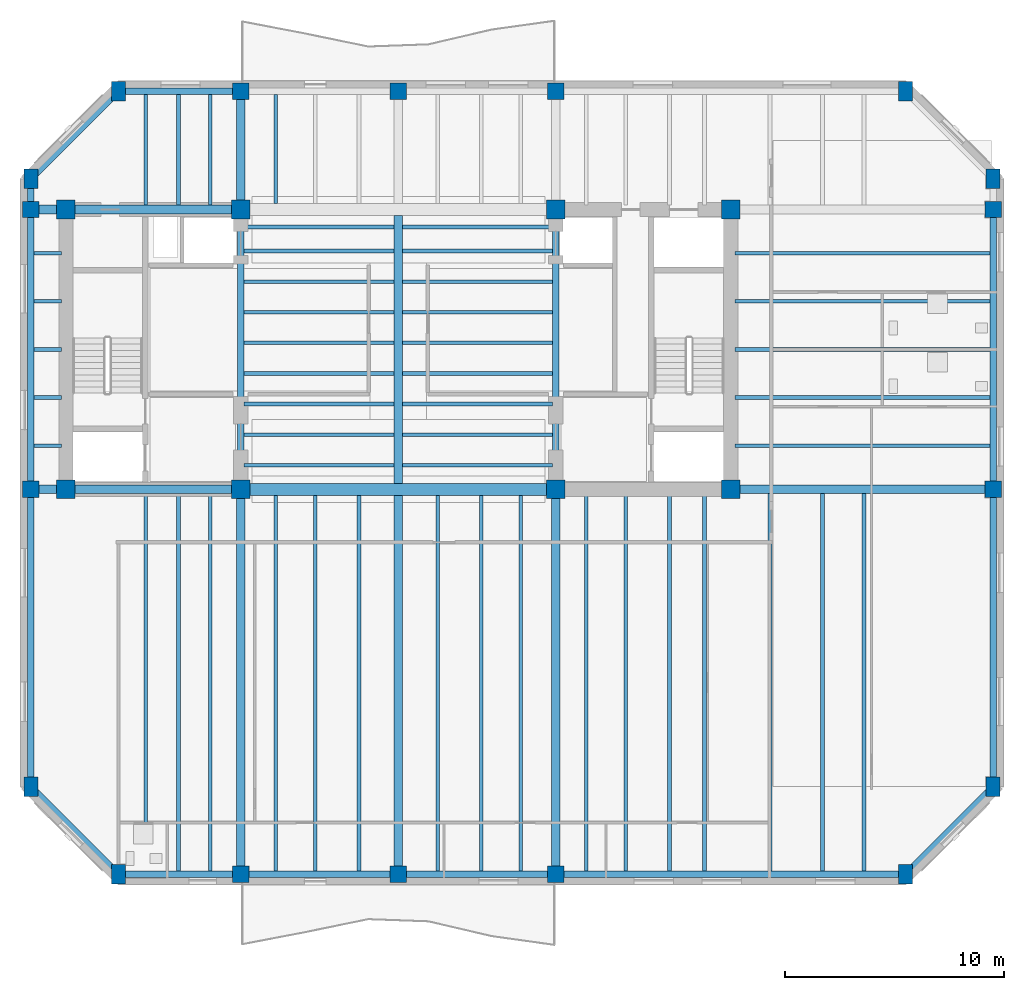
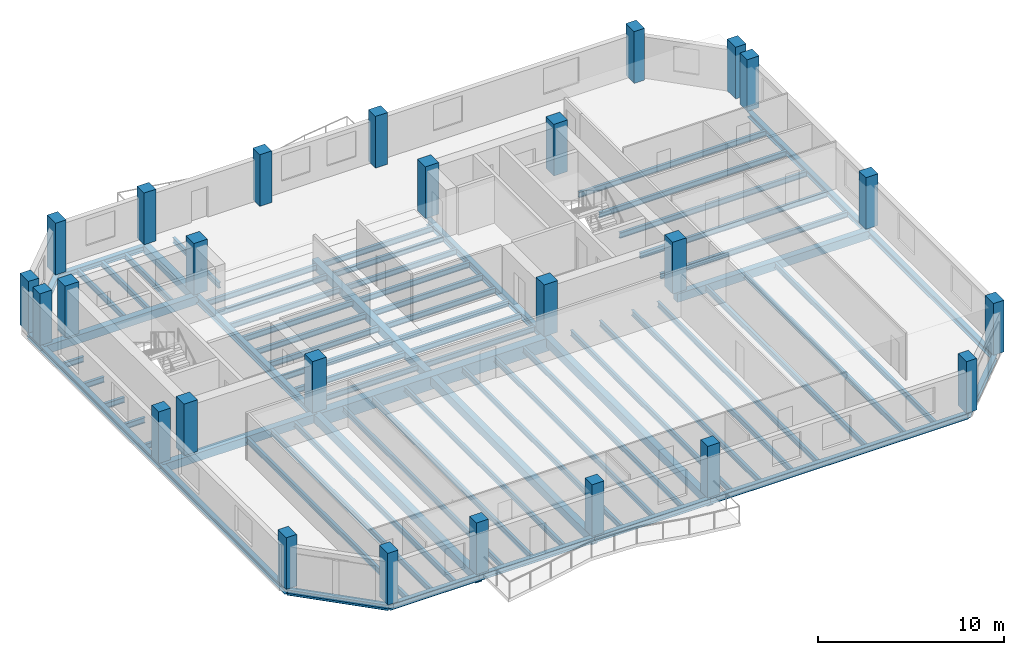
# One storey, part 1 of 9: 72 beams, 26 columns.
"""IFC4 building model written with IfcOpenShell, lengths in metres."""

from ifc_helpers import new_model, si_unit, direction, frame, origin, origin_2d, place, context, subcontext, project, spatial, rectangle, i_section, extrude, material, material_profile, profile_set, type_object, element, save


model = new_model("IFC4")

# Units and contexts
model_context = context("Model", 3, precision=1e-05, world=origin(), true_north=direction((0.0, 1.0)))
body_context = subcontext(model_context, "Body", "Model", "MODEL_VIEW")
ifc_project = project(units=[si_unit("LENGTHUNIT", "METRE"), si_unit("AREAUNIT", "SQUARE_METRE"), si_unit("VOLUMEUNIT", "CUBIC_METRE"), si_unit("PLANEANGLEUNIT", "RADIAN"), si_unit("MASSUNIT", "GRAM", prefix="KILO")], contexts=[model_context])

# Site, building, storey
site_placement = place(None, origin())
site = spatial("IfcSite", under=ifc_project, at=site_placement, CompositionType="ELEMENT")
building_placement = place(site_placement, origin())
building = spatial("IfcBuilding", under=site, at=building_placement, Name="Kranthara Brick Stack", CompositionType="ELEMENT")
storey_placement = place(building_placement, frame((0.0, 0.0, 241.5)))
storey = spatial("IfcBuildingStorey", under=building, at=storey_placement, Name="L63", CompositionType="ELEMENT", Elevation=241.5)

# Columns
ifc_material_1 = material(Name="Concrete C50/60", Category="concrete")
ifc_material_profile_1 = material_profile(ifc_material_1, rectangle(XDim=0.64990234375, YDim=0.89990234375, at=origin_2d()), Name="RC 650x900")
ifc_profile_set_1 = profile_set([ifc_material_profile_1], Name="Concrete C50/60")
column_type_1 = type_object("IfcColumnType", Name="COL-CHAM-650x900", PredefinedType="COLUMN", material=ifc_profile_set_1)
for number, where, z_axis, x_axis, name in (
    (1, (15.199951171875, 3.199951171875, 0.0), (0.0, 0.0, 1.0), (1.0, 0.0, 0.0), "L63 Column 09"),
    (2, (15.199951171875, 39.0, 0.0), (0.0, 0.0, 1.0), (1.0, 0.0, 0.0), "L63 Column 10"),
    (3, (51.199951171875, 3.199951171875, 0.0), (0.0, 0.0, 1.0), (1.0, 0.0, 0.0), "L63 Column 17"),
    (4, (51.199951171875, 39.0, 0.0), (0.0, 0.0, 1.0), (1.0, 0.0, 0.0), "L63 Column 18"),
    (5, (11.199951171875, 7.199951171875, 0.0), (0.0, 0.0, 1.0), (1.0, 0.0, 0.0), "L63 Column 19"),
    (6, (55.199951171875, 7.199951171875, 0.0), (0.0, 0.0, 1.0), (1.0, 0.0, 0.0), "L63 Column 20"),
    (7, (11.199951171875, 35.0, 0.0), (0.0, 0.0, 1.0), (1.0, 0.0, 0.0), "L63 Column 25"),
    (8, (55.199951171875, 35.0, 0.0), (0.0, 0.0, 1.0), (1.0, 0.0, 0.0), "L63 Column 26"),
):
    element("IfcColumn", number, at=place(storey_placement, frame(where, z_axis=z_axis, x_axis=x_axis)), inside=storey, type_object=column_type_1, Name=name, PredefinedType="COLUMN", context=body_context, shape_type="SweptSolid", body=[
        extrude(rectangle(XDim=0.64990234375, YDim=0.89990234375, at=origin_2d()), origin(), (0.0, 0.0, 1.0), 3.39990234375),
    ])
ifc_material_2 = material(Name="Concrete C50/60", Category="concrete")
ifc_material_profile_2 = material_profile(ifc_material_2, rectangle(XDim=0.85009765625, YDim=0.85009765625, at=origin_2d()), Name="RC 850x850")
ifc_profile_set_2 = profile_set([ifc_material_profile_2], Name="Concrete C50/60")
column_type_2 = type_object("IfcColumnType", Name="COL-CORE-850", PredefinedType="COLUMN", material=ifc_profile_set_2)
for number, where, z_axis, x_axis, name in (
    (9, (12.800048828125, 20.800048828125, 0.0), (0.0, 0.0, 1.0), (1.0, 0.0, 0.0), "L63 Column 01"),
    (10, (20.800048828125, 20.800048828125, 0.0), (0.0, 0.0, 1.0), (1.0, 0.0, 0.0), "L63 Column 02"),
    (11, (12.800048828125, 33.60009765625, 0.0), (0.0, 0.0, 1.0), (1.0, 0.0, 0.0), "L63 Column 03"),
    (12, (20.800048828125, 33.60009765625, 0.0), (0.0, 0.0, 1.0), (1.0, 0.0, 0.0), "L63 Column 04"),
    (13, (35.199951171875, 20.800048828125, 0.0), (0.0, 0.0, 1.0), (1.0, 0.0, 0.0), "L63 Column 05"),
    (14, (43.199951171875, 20.800048828125, 0.0), (0.0, 0.0, 1.0), (1.0, 0.0, 0.0), "L63 Column 06"),
    (15, (35.199951171875, 33.60009765625, 0.0), (0.0, 0.0, 1.0), (1.0, 0.0, 0.0), "L63 Column 07"),
    (16, (43.199951171875, 33.60009765625, 0.0), (0.0, 0.0, 1.0), (1.0, 0.0, 0.0), "L63 Column 08"),
):
    element("IfcColumn", number, at=place(storey_placement, frame(where, z_axis=z_axis, x_axis=x_axis)), inside=storey, type_object=column_type_2, Name=name, PredefinedType="COLUMN", context=body_context, shape_type="SweptSolid", body=[
        extrude(rectangle(XDim=0.85009765625, YDim=0.85009765625, at=origin_2d()), origin(), (0.0, 0.0, 1.0), 3.39990234375),
    ])
ifc_material_3 = material(Name="Concrete C50/60", Category="concrete")
ifc_material_profile_3 = material_profile(ifc_material_3, rectangle(XDim=0.75, YDim=0.75, at=origin_2d()), Name="RC 750x750")
ifc_profile_set_3 = profile_set([ifc_material_profile_3], Name="Concrete C50/60")
column_type_3 = type_object("IfcColumnType", Name="COL-PER-750", PredefinedType="COLUMN", material=ifc_profile_set_3)
for number, where, z_axis, x_axis, name in (
    (17, (20.800048828125, 3.199951171875, 0.0), (0.0, 0.0, 1.0), (1.0, 0.0, 0.0), "L63 Column 11"),
    (18, (20.800048828125, 39.0, 0.0), (0.0, 0.0, 1.0), (1.0, 0.0, 0.0), "L63 Column 12"),
    (19, (28.0, 3.199951171875, 0.0), (0.0, 0.0, 1.0), (1.0, 0.0, 0.0), "L63 Column 13"),
    (20, (28.0, 39.0, 0.0), (0.0, 0.0, 1.0), (1.0, 0.0, 0.0), "L63 Column 14"),
    (21, (35.199951171875, 3.199951171875, 0.0), (0.0, 0.0, 1.0), (1.0, 0.0, 0.0), "L63 Column 15"),
    (22, (35.199951171875, 39.0, 0.0), (0.0, 0.0, 1.0), (1.0, 0.0, 0.0), "L63 Column 16"),
    (23, (11.199951171875, 20.800048828125, 0.0), (0.0, 0.0, 1.0), (1.0, 0.0, 0.0), "L63 Column 21"),
    (24, (55.199951171875, 20.800048828125, 0.0), (0.0, 0.0, 1.0), (1.0, 0.0, 0.0), "L63 Column 22"),
    (25, (11.199951171875, 33.60009765625, 0.0), (0.0, 0.0, 1.0), (1.0, 0.0, 0.0), "L63 Column 23"),
    (26, (55.199951171875, 33.60009765625, 0.0), (0.0, 0.0, 1.0), (1.0, 0.0, 0.0), "L63 Column 24"),
):
    element("IfcColumn", number, at=place(storey_placement, frame(where, z_axis=z_axis, x_axis=x_axis)), inside=storey, type_object=column_type_3, Name=name, PredefinedType="COLUMN", context=body_context, shape_type="SweptSolid", body=[
        extrude(rectangle(XDim=0.75, YDim=0.75, at=origin_2d()), origin(), (0.0, 0.0, 1.0), 3.39990234375),
    ])

# Beams
ifc_material_4 = material(Name="Concrete C50/60", Category="concrete")
ifc_material_profile_4 = material_profile(ifc_material_4, rectangle(XDim=0.550048828125, YDim=0.85009765625, at=origin_2d()), Name="RC 550x850")
ifc_profile_set_4 = profile_set([ifc_material_profile_4], Name="Concrete C50/60")
beam_type_1 = type_object("IfcBeamType", Name="BM-CPL-RC850", PredefinedType="LINTEL", material=ifc_profile_set_4)
beam_1_placement = place(storey_placement, frame((20.800048828125, 20.800048828125, -0.72509765625), z_axis=(1.0, 0.0, 0.0), x_axis=(0.0, 1.0, 0.0)))
element("IfcBeam", 27, at=beam_1_placement, inside=storey, type_object=beam_type_1, Name="L63 Core Coupling Beam 001", PredefinedType="LINTEL", context=body_context, shape_type="SweptSolid", body=[
    extrude(rectangle(XDim=0.550048828125, YDim=0.85009765625, at=origin_2d()), origin(), (0.0, 0.0, 1.0), 14.39990234375),
])
ifc_material_5 = material(Name="Post-tensioned concrete C45/55", Category="concrete")
ifc_material_profile_5 = material_profile(ifc_material_5, rectangle(XDim=0.39990234375, YDim=0.550048828125, at=origin_2d()), Name="PT 400x550")
ifc_profile_set_5 = profile_set([ifc_material_profile_5], Name="Post-tensioned concrete C45/55")
beam_type_2 = type_object("IfcBeamType", Name="BM-FLR-PT550", PredefinedType="BEAM", material=ifc_profile_set_5)
beam_2_placement = place(storey_placement, frame((20.800048828125, 3.199951171875, -0.574951171875), z_axis=(0.0, 1.0, 0.0), x_axis=(-1.0, 0.0, 0.0)))
element("IfcBeam", 28, at=beam_2_placement, inside=storey, type_object=beam_type_2, Name="L63 Primary Grid Girder 023", PredefinedType="BEAM", context=body_context, shape_type="SweptSolid", body=[
    extrude(rectangle(XDim=0.39990234375, YDim=0.550048828125, at=origin_2d()), origin(), (0.0, 0.0, 1.0), 17.60009765625),
])
beam_3_placement = place(storey_placement, frame((20.800048828125, 33.60009765625, -0.574951171875), z_axis=(0.0, 1.0, 0.0), x_axis=(-1.0, 0.0, 0.0)))
element("IfcBeam", 29, at=beam_3_placement, inside=storey, type_object=beam_type_2, Name="L63 Primary Grid Girder 024", PredefinedType="BEAM", context=body_context, shape_type="SweptSolid", body=[
    extrude(rectangle(XDim=0.39990234375, YDim=0.550048828125, at=origin_2d()), origin(), (0.0, 0.0, 1.0), 5.39990234375),
])
beam_4_placement = place(storey_placement, frame((28.0, 3.199951171875, -0.574951171875), z_axis=(0.0, 1.0, 0.0), x_axis=(-1.0, 0.0, 0.0)))
element("IfcBeam", 30, at=beam_4_placement, inside=storey, type_object=beam_type_2, Name="L63 Primary Grid Girder 025", PredefinedType="BEAM", context=body_context, shape_type="SweptSolid", body=[
    extrude(rectangle(XDim=0.39990234375, YDim=0.550048828125, at=origin_2d()), origin(), (0.0, 0.0, 1.0), 17.324951171875),
])
beam_5_placement = place(storey_placement, frame((28.0, 21.074951171875, -0.574951171875), z_axis=(0.0, 1.0, 0.0), x_axis=(-1.0, 0.0, 0.0)))
element("IfcBeam", 31, at=beam_5_placement, inside=storey, type_object=beam_type_2, Name="L63 Central Spine Girder 026", PredefinedType="BEAM", context=body_context, shape_type="SweptSolid", body=[
    extrude(rectangle(XDim=0.39990234375, YDim=0.550048828125, at=origin_2d()), origin(), (0.0, 0.0, 1.0), 12.25),
])
beam_6_placement = place(storey_placement, frame((35.199951171875, 3.199951171875, -0.574951171875), z_axis=(0.0, 1.0, 0.0), x_axis=(-1.0, 0.0, 0.0)))
element("IfcBeam", 32, at=beam_6_placement, inside=storey, type_object=beam_type_2, Name="L63 Primary Grid Girder 028", PredefinedType="BEAM", context=body_context, shape_type="SweptSolid", body=[
    extrude(rectangle(XDim=0.39990234375, YDim=0.550048828125, at=origin_2d()), origin(), (0.0, 0.0, 1.0), 17.60009765625),
])
beam_7_placement = place(storey_placement, frame((11.199951171875, 20.800048828125, -0.574951171875), z_axis=(1.0, 0.0, 0.0), x_axis=(0.0, 1.0, 0.0)))
element("IfcBeam", 33, at=beam_7_placement, inside=storey, type_object=beam_type_2, Name="L63 Primary Grid Girder 030", PredefinedType="BEAM", context=body_context, shape_type="SweptSolid", body=[
    extrude(rectangle(XDim=0.39990234375, YDim=0.550048828125, at=origin_2d()), origin(), (0.0, 0.0, 1.0), 9.60009765625),
])
beam_8_placement = place(storey_placement, frame((43.199951171875, 20.800048828125, -0.574951171875), z_axis=(1.0, 0.0, 0.0), x_axis=(0.0, 1.0, 0.0)))
element("IfcBeam", 34, at=beam_8_placement, inside=storey, type_object=beam_type_2, Name="L63 Primary Grid Girder 031", PredefinedType="BEAM", context=body_context, shape_type="SweptSolid", body=[
    extrude(rectangle(XDim=0.39990234375, YDim=0.550048828125, at=origin_2d()), origin(), (0.0, 0.0, 1.0), 12.0),
])
beam_9_placement = place(storey_placement, frame((11.199951171875, 33.60009765625, -0.574951171875), z_axis=(1.0, 0.0, 0.0), x_axis=(0.0, 1.0, 0.0)))
element("IfcBeam", 35, at=beam_9_placement, inside=storey, type_object=beam_type_2, Name="L63 Primary Grid Girder 032", PredefinedType="BEAM", context=body_context, shape_type="SweptSolid", body=[
    extrude(rectangle(XDim=0.39990234375, YDim=0.550048828125, at=origin_2d()), origin(), (0.0, 0.0, 1.0), 9.60009765625),
])
ifc_material_6 = material(Name="Steel S355", Category="steel")
ifc_material_profile_6 = material_profile(ifc_material_6, i_section(OverallWidth=0.169921875, OverallDepth=0.360107421875, WebThickness=0.008056640625, FlangeThickness=0.0126953125, at=origin_2d()), Name="IPE 360")
ifc_profile_set_6 = profile_set([ifc_material_profile_6], Name="Steel S355")
beam_type_3 = type_object("IfcBeamType", Name="BM-JST-IPE360", PredefinedType="JOIST", material=ifc_profile_set_6)
for number, where, z_axis, x_axis, name in (
    (36, (20.949951171875, 21.89990234375, -0.47998046875), (1.0, 0.0, 0.0), (0.0, 1.0, 0.0), "L63 Central Floor Joist 034"),
    (37, (28.199951171875, 21.89990234375, -0.47998046875), (1.0, 0.0, 0.0), (0.0, 1.0, 0.0), "L63 Central Floor Joist 035"),
    (38, (20.949951171875, 23.300048828125, -0.47998046875), (1.0, 0.0, 0.0), (0.0, 1.0, 0.0), "L63 Central Floor Joist 036"),
    (39, (28.199951171875, 23.300048828125, -0.47998046875), (1.0, 0.0, 0.0), (0.0, 1.0, 0.0), "L63 Central Floor Joist 037"),
    (40, (20.949951171875, 24.699951171875, -0.47998046875), (1.0, 0.0, 0.0), (0.0, 1.0, 0.0), "L63 Central Floor Joist 038"),
    (41, (28.199951171875, 24.699951171875, -0.47998046875), (1.0, 0.0, 0.0), (0.0, 1.0, 0.0), "L63 Central Floor Joist 039"),
    (42, (20.949951171875, 26.10009765625, -0.47998046875), (1.0, 0.0, 0.0), (0.0, 1.0, 0.0), "L63 Central Floor Joist 040"),
    (43, (28.199951171875, 26.10009765625, -0.47998046875), (1.0, 0.0, 0.0), (0.0, 1.0, 0.0), "L63 Central Floor Joist 041"),
    (44, (20.949951171875, 27.5, -0.47998046875), (1.0, 0.0, 0.0), (0.0, 1.0, 0.0), "L63 Central Floor Joist 042"),
    (45, (28.199951171875, 27.5, -0.47998046875), (1.0, 0.0, 0.0), (0.0, 1.0, 0.0), "L63 Central Floor Joist 043"),
    (46, (20.949951171875, 28.89990234375, -0.47998046875), (1.0, 0.0, 0.0), (0.0, 1.0, 0.0), "L63 Central Floor Joist 044"),
    (47, (28.199951171875, 28.89990234375, -0.47998046875), (1.0, 0.0, 0.0), (0.0, 1.0, 0.0), "L63 Central Floor Joist 045"),
    (48, (20.949951171875, 30.300048828125, -0.47998046875), (1.0, 0.0, 0.0), (0.0, 1.0, 0.0), "L63 Central Floor Joist 046"),
    (49, (28.199951171875, 30.300048828125, -0.47998046875), (1.0, 0.0, 0.0), (0.0, 1.0, 0.0), "L63 Central Floor Joist 047"),
    (50, (20.949951171875, 31.699951171875, -0.47998046875), (1.0, 0.0, 0.0), (0.0, 1.0, 0.0), "L63 Central Floor Joist 048"),
    (51, (28.199951171875, 31.699951171875, -0.47998046875), (1.0, 0.0, 0.0), (0.0, 1.0, 0.0), "L63 Central Floor Joist 049"),
    (52, (20.949951171875, 32.800048828125, -0.47998046875), (1.0, 0.0, 0.0), (0.0, 1.0, 0.0), "L63 Central Floor Joist 050"),
    (53, (28.199951171875, 32.800048828125, -0.47998046875), (1.0, 0.0, 0.0), (0.0, 1.0, 0.0), "L63 Central Floor Joist 051"),
):
    element("IfcBeam", number, at=place(storey_placement, frame(where, z_axis=z_axis, x_axis=x_axis)), inside=storey, type_object=beam_type_3, Name=name, PredefinedType="JOIST", context=body_context, shape_type="SweptSolid", body=[
        extrude(i_section(OverallWidth=0.169921875, OverallDepth=0.360107421875, WebThickness=0.008056640625, FlangeThickness=0.0126953125, at=origin_2d()), origin(), (0.0, 0.0, 1.0), 6.85009765625),
    ])
beam_10_placement = place(storey_placement, frame((16.449951171875, 3.35009765625, -0.47998046875), z_axis=(0.0, 1.0, 0.0), x_axis=(-1.0, 0.0, 0.0)))
element("IfcBeam", 54, at=beam_10_placement, inside=storey, type_object=beam_type_3, Name="L63 South Wing Floor Joist 052", PredefinedType="JOIST", context=body_context, shape_type="SweptSolid", body=[
    extrude(i_section(OverallWidth=0.169921875, OverallDepth=0.360107421875, WebThickness=0.008056640625, FlangeThickness=0.0126953125, at=origin_2d()), origin(), (0.0, 0.0, 1.0), 17.25),
])
beam_11_placement = place(storey_placement, frame((16.449951171875, 33.800048828125, -0.47998046875), z_axis=(0.0, 1.0, 0.0), x_axis=(-1.0, 0.0, 0.0)))
element("IfcBeam", 55, at=beam_11_placement, inside=storey, type_object=beam_type_3, Name="L63 North Wing Floor Joist 053", PredefinedType="JOIST", context=body_context, shape_type="SweptSolid", body=[
    extrude(i_section(OverallWidth=0.169921875, OverallDepth=0.360107421875, WebThickness=0.008056640625, FlangeThickness=0.0126953125, at=origin_2d()), origin(), (0.0, 0.0, 1.0), 5.050048828125),
])
beam_12_placement = place(storey_placement, frame((17.949951171875, 3.35009765625, -0.47998046875), z_axis=(0.0, 1.0, 0.0), x_axis=(-1.0, 0.0, 0.0)))
element("IfcBeam", 56, at=beam_12_placement, inside=storey, type_object=beam_type_3, Name="L63 South Wing Floor Joist 054", PredefinedType="JOIST", context=body_context, shape_type="SweptSolid", body=[
    extrude(i_section(OverallWidth=0.169921875, OverallDepth=0.360107421875, WebThickness=0.008056640625, FlangeThickness=0.0126953125, at=origin_2d()), origin(), (0.0, 0.0, 1.0), 17.25),
])
beam_13_placement = place(storey_placement, frame((17.949951171875, 33.800048828125, -0.47998046875), z_axis=(0.0, 1.0, 0.0), x_axis=(-1.0, 0.0, 0.0)))
element("IfcBeam", 57, at=beam_13_placement, inside=storey, type_object=beam_type_3, Name="L63 North Wing Floor Joist 055", PredefinedType="JOIST", context=body_context, shape_type="SweptSolid", body=[
    extrude(i_section(OverallWidth=0.169921875, OverallDepth=0.360107421875, WebThickness=0.008056640625, FlangeThickness=0.0126953125, at=origin_2d()), origin(), (0.0, 0.0, 1.0), 5.050048828125),
])
beam_14_placement = place(storey_placement, frame((19.39990234375, 3.35009765625, -0.47998046875), z_axis=(0.0, 1.0, 0.0), x_axis=(-1.0, 0.0, 0.0)))
element("IfcBeam", 58, at=beam_14_placement, inside=storey, type_object=beam_type_3, Name="L63 South Wing Floor Joist 056", PredefinedType="JOIST", context=body_context, shape_type="SweptSolid", body=[
    extrude(i_section(OverallWidth=0.169921875, OverallDepth=0.360107421875, WebThickness=0.008056640625, FlangeThickness=0.0126953125, at=origin_2d()), origin(), (0.0, 0.0, 1.0), 17.25),
])
beam_15_placement = place(storey_placement, frame((19.39990234375, 33.800048828125, -0.47998046875), z_axis=(0.0, 1.0, 0.0), x_axis=(-1.0, 0.0, 0.0)))
element("IfcBeam", 59, at=beam_15_placement, inside=storey, type_object=beam_type_3, Name="L63 North Wing Floor Joist 057", PredefinedType="JOIST", context=body_context, shape_type="SweptSolid", body=[
    extrude(i_section(OverallWidth=0.169921875, OverallDepth=0.360107421875, WebThickness=0.008056640625, FlangeThickness=0.0126953125, at=origin_2d()), origin(), (0.0, 0.0, 1.0), 5.050048828125),
])
beam_16_placement = place(storey_placement, frame((22.39990234375, 3.35009765625, -0.47998046875), z_axis=(0.0, 1.0, 0.0), x_axis=(-1.0, 0.0, 0.0)))
element("IfcBeam", 60, at=beam_16_placement, inside=storey, type_object=beam_type_3, Name="L63 South Wing Floor Joist 058", PredefinedType="JOIST", context=body_context, shape_type="SweptSolid", body=[
    extrude(i_section(OverallWidth=0.169921875, OverallDepth=0.360107421875, WebThickness=0.008056640625, FlangeThickness=0.0126953125, at=origin_2d()), origin(), (0.0, 0.0, 1.0), 17.1748046875),
])
beam_17_placement = place(storey_placement, frame((22.39990234375, 33.875, -0.47998046875), z_axis=(0.0, 1.0, 0.0), x_axis=(-1.0, 0.0, 0.0)))
element("IfcBeam", 61, at=beam_17_placement, inside=storey, type_object=beam_type_3, Name="L63 North Wing Floor Joist 059", PredefinedType="JOIST", context=body_context, shape_type="SweptSolid", body=[
    extrude(i_section(OverallWidth=0.169921875, OverallDepth=0.360107421875, WebThickness=0.008056640625, FlangeThickness=0.0126953125, at=origin_2d()), origin(), (0.0, 0.0, 1.0), 4.97509765625),
])
for number, where, z_axis, x_axis, name in (
    (62, (24.199951171875, 3.35009765625, -0.47998046875), (0.0, 1.0, 0.0), (-1.0, 0.0, 0.0), "L63 South Wing Floor Joist 060"),
    (63, (26.199951171875, 3.35009765625, -0.47998046875), (0.0, 1.0, 0.0), (-1.0, 0.0, 0.0), "L63 South Wing Floor Joist 062"),
    (64, (29.800048828125, 3.35009765625, -0.47998046875), (0.0, 1.0, 0.0), (-1.0, 0.0, 0.0), "L63 South Wing Floor Joist 064"),
    (65, (31.800048828125, 3.35009765625, -0.47998046875), (0.0, 1.0, 0.0), (-1.0, 0.0, 0.0), "L63 South Wing Floor Joist 066"),
    (66, (33.60009765625, 3.35009765625, -0.47998046875), (0.0, 1.0, 0.0), (-1.0, 0.0, 0.0), "L63 South Wing Floor Joist 068"),
):
    element("IfcBeam", number, at=place(storey_placement, frame(where, z_axis=z_axis, x_axis=x_axis)), inside=storey, type_object=beam_type_3, Name=name, PredefinedType="JOIST", context=body_context, shape_type="SweptSolid", body=[
        extrude(i_section(OverallWidth=0.169921875, OverallDepth=0.360107421875, WebThickness=0.008056640625, FlangeThickness=0.0126953125, at=origin_2d()), origin(), (0.0, 0.0, 1.0), 17.1748046875),
    ])
for number, where, z_axis, x_axis, name in (
    (67, (36.60009765625, 3.35009765625, -0.47998046875), (0.0, 1.0, 0.0), (-1.0, 0.0, 0.0), "L63 South Wing Floor Joist 070"),
    (68, (38.39990234375, 3.35009765625, -0.47998046875), (0.0, 1.0, 0.0), (-1.0, 0.0, 0.0), "L63 South Wing Floor Joist 072"),
    (69, (40.39990234375, 3.35009765625, -0.47998046875), (0.0, 1.0, 0.0), (-1.0, 0.0, 0.0), "L63 South Wing Floor Joist 074"),
    (70, (42.0, 3.35009765625, -0.47998046875), (0.0, 1.0, 0.0), (-1.0, 0.0, 0.0), "L63 South Wing Floor Joist 076"),
    (71, (45.0, 3.35009765625, -0.47998046875), (0.0, 1.0, 0.0), (-1.0, 0.0, 0.0), "L63 South Wing Floor Joist 078"),
    (72, (47.39990234375, 3.35009765625, -0.47998046875), (0.0, 1.0, 0.0), (-1.0, 0.0, 0.0), "L63 South Wing Floor Joist 080"),
    (73, (49.300048828125, 3.35009765625, -0.47998046875), (0.0, 1.0, 0.0), (-1.0, 0.0, 0.0), "L63 South Wing Floor Joist 082"),
):
    element("IfcBeam", number, at=place(storey_placement, frame(where, z_axis=z_axis, x_axis=x_axis)), inside=storey, type_object=beam_type_3, Name=name, PredefinedType="JOIST", context=body_context, shape_type="SweptSolid", body=[
        extrude(i_section(OverallWidth=0.169921875, OverallDepth=0.360107421875, WebThickness=0.008056640625, FlangeThickness=0.0126953125, at=origin_2d()), origin(), (0.0, 0.0, 1.0), 17.25),
    ])
beam_18_placement = place(storey_placement, frame((11.35009765625, 22.800048828125, -0.47998046875), z_axis=(1.0, 0.0, 0.0), x_axis=(0.0, 1.0, 0.0)))
element("IfcBeam", 74, at=beam_18_placement, inside=storey, type_object=beam_type_3, Name="L63 West Wing Floor Joist 084", PredefinedType="JOIST", context=body_context, shape_type="SweptSolid", body=[
    extrude(i_section(OverallWidth=0.169921875, OverallDepth=0.360107421875, WebThickness=0.008056640625, FlangeThickness=0.0126953125, at=origin_2d()), origin(), (0.0, 0.0, 1.0), 1.25),
])
beam_19_placement = place(storey_placement, frame((43.39990234375, 22.800048828125, -0.47998046875), z_axis=(1.0, 0.0, 0.0), x_axis=(0.0, 1.0, 0.0)))
element("IfcBeam", 75, at=beam_19_placement, inside=storey, type_object=beam_type_3, Name="L63 East Wing Floor Joist 085", PredefinedType="JOIST", context=body_context, shape_type="SweptSolid", body=[
    extrude(i_section(OverallWidth=0.169921875, OverallDepth=0.360107421875, WebThickness=0.008056640625, FlangeThickness=0.0126953125, at=origin_2d()), origin(), (0.0, 0.0, 1.0), 11.650146484375),
])
beam_20_placement = place(storey_placement, frame((11.35009765625, 25.0, -0.47998046875), z_axis=(1.0, 0.0, 0.0), x_axis=(0.0, 1.0, 0.0)))
element("IfcBeam", 76, at=beam_20_placement, inside=storey, type_object=beam_type_3, Name="L63 West Wing Floor Joist 086", PredefinedType="JOIST", context=body_context, shape_type="SweptSolid", body=[
    extrude(i_section(OverallWidth=0.169921875, OverallDepth=0.360107421875, WebThickness=0.008056640625, FlangeThickness=0.0126953125, at=origin_2d()), origin(), (0.0, 0.0, 1.0), 1.25),
])
beam_21_placement = place(storey_placement, frame((43.39990234375, 25.0, -0.47998046875), z_axis=(1.0, 0.0, 0.0), x_axis=(0.0, 1.0, 0.0)))
element("IfcBeam", 77, at=beam_21_placement, inside=storey, type_object=beam_type_3, Name="L63 East Wing Floor Joist 087", PredefinedType="JOIST", context=body_context, shape_type="SweptSolid", body=[
    extrude(i_section(OverallWidth=0.169921875, OverallDepth=0.360107421875, WebThickness=0.008056640625, FlangeThickness=0.0126953125, at=origin_2d()), origin(), (0.0, 0.0, 1.0), 11.650146484375),
])
beam_22_placement = place(storey_placement, frame((11.35009765625, 27.199951171875, -0.47998046875), z_axis=(1.0, 0.0, 0.0), x_axis=(0.0, 1.0, 0.0)))
element("IfcBeam", 78, at=beam_22_placement, inside=storey, type_object=beam_type_3, Name="L63 West Wing Floor Joist 088", PredefinedType="JOIST", context=body_context, shape_type="SweptSolid", body=[
    extrude(i_section(OverallWidth=0.169921875, OverallDepth=0.360107421875, WebThickness=0.008056640625, FlangeThickness=0.0126953125, at=origin_2d()), origin(), (0.0, 0.0, 1.0), 1.25),
])
beam_23_placement = place(storey_placement, frame((43.39990234375, 27.199951171875, -0.47998046875), z_axis=(1.0, 0.0, 0.0), x_axis=(0.0, 1.0, 0.0)))
element("IfcBeam", 79, at=beam_23_placement, inside=storey, type_object=beam_type_3, Name="L63 East Wing Floor Joist 089", PredefinedType="JOIST", context=body_context, shape_type="SweptSolid", body=[
    extrude(i_section(OverallWidth=0.169921875, OverallDepth=0.360107421875, WebThickness=0.008056640625, FlangeThickness=0.0126953125, at=origin_2d()), origin(), (0.0, 0.0, 1.0), 11.650146484375),
])
beam_24_placement = place(storey_placement, frame((11.35009765625, 29.39990234375, -0.47998046875), z_axis=(1.0, 0.0, 0.0), x_axis=(0.0, 1.0, 0.0)))
element("IfcBeam", 80, at=beam_24_placement, inside=storey, type_object=beam_type_3, Name="L63 West Wing Floor Joist 090", PredefinedType="JOIST", context=body_context, shape_type="SweptSolid", body=[
    extrude(i_section(OverallWidth=0.169921875, OverallDepth=0.360107421875, WebThickness=0.008056640625, FlangeThickness=0.0126953125, at=origin_2d()), origin(), (0.0, 0.0, 1.0), 1.25),
])
beam_25_placement = place(storey_placement, frame((43.39990234375, 29.39990234375, -0.47998046875), z_axis=(1.0, 0.0, 0.0), x_axis=(0.0, 1.0, 0.0)))
element("IfcBeam", 81, at=beam_25_placement, inside=storey, type_object=beam_type_3, Name="L63 East Wing Floor Joist 091", PredefinedType="JOIST", context=body_context, shape_type="SweptSolid", body=[
    extrude(i_section(OverallWidth=0.169921875, OverallDepth=0.360107421875, WebThickness=0.008056640625, FlangeThickness=0.0126953125, at=origin_2d()), origin(), (0.0, 0.0, 1.0), 11.650146484375),
])
beam_26_placement = place(storey_placement, frame((11.35009765625, 31.60009765625, -0.47998046875), z_axis=(1.0, 0.0, 0.0), x_axis=(0.0, 1.0, 0.0)))
element("IfcBeam", 82, at=beam_26_placement, inside=storey, type_object=beam_type_3, Name="L63 West Wing Floor Joist 092", PredefinedType="JOIST", context=body_context, shape_type="SweptSolid", body=[
    extrude(i_section(OverallWidth=0.169921875, OverallDepth=0.360107421875, WebThickness=0.008056640625, FlangeThickness=0.0126953125, at=origin_2d()), origin(), (0.0, 0.0, 1.0), 1.25),
])
beam_27_placement = place(storey_placement, frame((43.39990234375, 31.60009765625, -0.47998046875), z_axis=(1.0, 0.0, 0.0), x_axis=(0.0, 1.0, 0.0)))
element("IfcBeam", 83, at=beam_27_placement, inside=storey, type_object=beam_type_3, Name="L63 East Wing Floor Joist 093", PredefinedType="JOIST", context=body_context, shape_type="SweptSolid", body=[
    extrude(i_section(OverallWidth=0.169921875, OverallDepth=0.360107421875, WebThickness=0.008056640625, FlangeThickness=0.0126953125, at=origin_2d()), origin(), (0.0, 0.0, 1.0), 11.650146484375),
])
ifc_material_7 = material(Name="Steel S355", Category="steel")
ifc_material_profile_7 = material_profile(ifc_material_7, i_section(OverallWidth=0.300048828125, OverallDepth=0.360107421875, WebThickness=0.012451171875, FlangeThickness=0.0224609375, at=origin_2d()), Name="HEB 360")
ifc_profile_set_7 = profile_set([ifc_material_profile_7], Name="Steel S355")
beam_type_4 = type_object("IfcBeamType", Name="BM-STL-HEB360", PredefinedType="SPANDREL", material=ifc_profile_set_7)
beam_28_placement = place(storey_placement, frame((15.199951171875, 3.199951171875, -0.47998046875), z_axis=(1.0, 0.0, 0.0), x_axis=(0.0, 1.0, 0.0)))
element("IfcBeam", 84, at=beam_28_placement, inside=storey, type_object=beam_type_4, Name="L63 Perimeter Spandrel Beam 005", PredefinedType="SPANDREL", context=body_context, shape_type="SweptSolid", body=[
    extrude(i_section(OverallWidth=0.300048828125, OverallDepth=0.360107421875, WebThickness=0.012451171875, FlangeThickness=0.0224609375, at=origin_2d()), origin(), (0.0, 0.0, 1.0), 5.60009765625),
])
for number, where, z_axis, x_axis, name in (
    (85, (20.800048828125, 3.199951171875, -0.47998046875), (1.0, 0.0, 0.0), (0.0, 1.0, 0.0), "L63 Perimeter Spandrel Beam 006"),
    (86, (28.0, 3.199951171875, -0.47998046875), (1.0, 0.0, 0.0), (0.0, 1.0, 0.0), "L63 Perimeter Spandrel Beam 007"),
):
    element("IfcBeam", number, at=place(storey_placement, frame(where, z_axis=z_axis, x_axis=x_axis)), inside=storey, type_object=beam_type_4, Name=name, PredefinedType="SPANDREL", context=body_context, shape_type="SweptSolid", body=[
        extrude(i_section(OverallWidth=0.300048828125, OverallDepth=0.360107421875, WebThickness=0.012451171875, FlangeThickness=0.0224609375, at=origin_2d()), origin(), (0.0, 0.0, 1.0), 7.199951171875),
    ])
beam_29_placement = place(storey_placement, frame((35.199951171875, 3.199951171875, -0.47998046875), z_axis=(1.0, 0.0, 0.0), x_axis=(0.0, 1.0, 0.0)))
element("IfcBeam", 87, at=beam_29_placement, inside=storey, type_object=beam_type_4, Name="L63 Perimeter Spandrel Beam 008", PredefinedType="SPANDREL", context=body_context, shape_type="SweptSolid", body=[
    extrude(i_section(OverallWidth=0.300048828125, OverallDepth=0.360107421875, WebThickness=0.012451171875, FlangeThickness=0.0224609375, at=origin_2d()), origin(), (0.0, 0.0, 1.0), 16.0),
])
beam_30_placement = place(storey_placement, frame((15.199951171875, 39.0, -0.47998046875), z_axis=(1.0, 0.0, 0.0), x_axis=(0.0, 1.0, 0.0)))
element("IfcBeam", 88, at=beam_30_placement, inside=storey, type_object=beam_type_4, Name="L63 Perimeter Spandrel Beam 009", PredefinedType="SPANDREL", context=body_context, shape_type="SweptSolid", body=[
    extrude(i_section(OverallWidth=0.300048828125, OverallDepth=0.360107421875, WebThickness=0.012451171875, FlangeThickness=0.0224609375, at=origin_2d()), origin(), (0.0, 0.0, 1.0), 5.60009765625),
])
beam_31_placement = place(storey_placement, frame((11.199951171875, 7.199951171875, -0.47998046875), z_axis=(0.0, 1.0, 0.0), x_axis=(-1.0, 0.0, 0.0)))
element("IfcBeam", 89, at=beam_31_placement, inside=storey, type_object=beam_type_4, Name="L63 Perimeter Spandrel Beam 013", PredefinedType="SPANDREL", context=body_context, shape_type="SweptSolid", body=[
    extrude(i_section(OverallWidth=0.300048828125, OverallDepth=0.360107421875, WebThickness=0.012451171875, FlangeThickness=0.0224609375, at=origin_2d()), origin(), (0.0, 0.0, 1.0), 13.60009765625),
])
beam_32_placement = place(storey_placement, frame((11.199951171875, 20.800048828125, -0.47998046875), z_axis=(0.0, 1.0, 0.0), x_axis=(-1.0, 0.0, 0.0)))
element("IfcBeam", 90, at=beam_32_placement, inside=storey, type_object=beam_type_4, Name="L63 Perimeter Spandrel Beam 014", PredefinedType="SPANDREL", context=body_context, shape_type="SweptSolid", body=[
    extrude(i_section(OverallWidth=0.300048828125, OverallDepth=0.360107421875, WebThickness=0.012451171875, FlangeThickness=0.0224609375, at=origin_2d()), origin(), (0.0, 0.0, 1.0), 12.800048828125),
])
beam_33_placement = place(storey_placement, frame((11.199951171875, 33.60009765625, -0.47998046875), z_axis=(0.0, 1.0, 0.0), x_axis=(-1.0, 0.0, 0.0)))
element("IfcBeam", 91, at=beam_33_placement, inside=storey, type_object=beam_type_4, Name="L63 Perimeter Spandrel Beam 015", PredefinedType="SPANDREL", context=body_context, shape_type="SweptSolid", body=[
    extrude(i_section(OverallWidth=0.300048828125, OverallDepth=0.360107421875, WebThickness=0.012451171875, FlangeThickness=0.0224609375, at=origin_2d()), origin(), (0.0, 0.0, 1.0), 1.39990234375),
])
beam_34_placement = place(storey_placement, frame((55.199951171875, 7.199951171875, -0.47998046875), z_axis=(0.0, 1.0, 0.0), x_axis=(-1.0, 0.0, 0.0)))
element("IfcBeam", 92, at=beam_34_placement, inside=storey, type_object=beam_type_4, Name="L63 Perimeter Spandrel Beam 016", PredefinedType="SPANDREL", context=body_context, shape_type="SweptSolid", body=[
    extrude(i_section(OverallWidth=0.300048828125, OverallDepth=0.360107421875, WebThickness=0.012451171875, FlangeThickness=0.0224609375, at=origin_2d()), origin(), (0.0, 0.0, 1.0), 13.60009765625),
])
beam_35_placement = place(storey_placement, frame((55.199951171875, 20.800048828125, -0.47998046875), z_axis=(0.0, 1.0, 0.0), x_axis=(-1.0, 0.0, 0.0)))
element("IfcBeam", 93, at=beam_35_placement, inside=storey, type_object=beam_type_4, Name="L63 Perimeter Spandrel Beam 017", PredefinedType="SPANDREL", context=body_context, shape_type="SweptSolid", body=[
    extrude(i_section(OverallWidth=0.300048828125, OverallDepth=0.360107421875, WebThickness=0.012451171875, FlangeThickness=0.0224609375, at=origin_2d()), origin(), (0.0, 0.0, 1.0), 12.800048828125),
])
for number, where, z_axis, x_axis, name in (
    (94, (15.199951171875, 3.199951171875, -0.47998046875), (-0.707106781187, 0.707106781187, 0.0), (-0.707106781187, -0.707106781187, 0.0), "L63 Chamfer Corner Spandrel 019"),
    (95, (51.199951171875, 3.199951171875, -0.47998046875), (0.707106781187, 0.707106781187, 0.0), (-0.707106781187, 0.707106781187, 0.0), "L63 Chamfer Corner Spandrel 020"),
    (96, (15.199951171875, 39.0, -0.47998046875), (-0.707106781187, -0.707106781187, 0.0), (0.707106781187, -0.707106781187, 0.0), "L63 Chamfer Corner Spandrel 021"),
):
    element("IfcBeam", number, at=place(storey_placement, frame(where, z_axis=z_axis, x_axis=x_axis)), inside=storey, type_object=beam_type_4, Name=name, PredefinedType="SPANDREL", context=body_context, shape_type="SweptSolid", body=[
        extrude(i_section(OverallWidth=0.300048828125, OverallDepth=0.360107421875, WebThickness=0.012451171875, FlangeThickness=0.0224609375, at=origin_2d()), origin(), (0.0, 0.0, 1.0), 5.65673828125),
    ])
ifc_material_8 = material(Name="Steel S355", Category="steel")
ifc_material_profile_8 = material_profile(ifc_material_8, i_section(OverallWidth=0.300048828125, OverallDepth=0.449951171875, WebThickness=0.013916015625, FlangeThickness=0.02587890625, at=origin_2d()), Name="HEB 450")
ifc_profile_set_8 = profile_set([ifc_material_profile_8], Name="Steel S355")
beam_type_5 = type_object("IfcBeamType", Name="BM-STL-HEB450", PredefinedType="SPANDREL", material=ifc_profile_set_8)
for number, where, z_axis, x_axis, name in (
    (97, (20.800048828125, 20.800048828125, -0.52490234375), (0.0, 1.0, 0.0), (-1.0, 0.0, 0.0), "L63 Core Edge Tie Beam 003"),
    (98, (35.199951171875, 20.800048828125, -0.52490234375), (0.0, 1.0, 0.0), (-1.0, 0.0, 0.0), "L63 Core Edge Tie Beam 004"),
):
    element("IfcBeam", number, at=place(storey_placement, frame(where, z_axis=z_axis, x_axis=x_axis)), inside=storey, type_object=beam_type_5, Name=name, PredefinedType="SPANDREL", context=body_context, shape_type="SweptSolid", body=[
        extrude(i_section(OverallWidth=0.300048828125, OverallDepth=0.449951171875, WebThickness=0.013916015625, FlangeThickness=0.02587890625, at=origin_2d()), origin(), (0.0, 0.0, 1.0), 12.800048828125),
    ])

save(model, "model.ifc")
